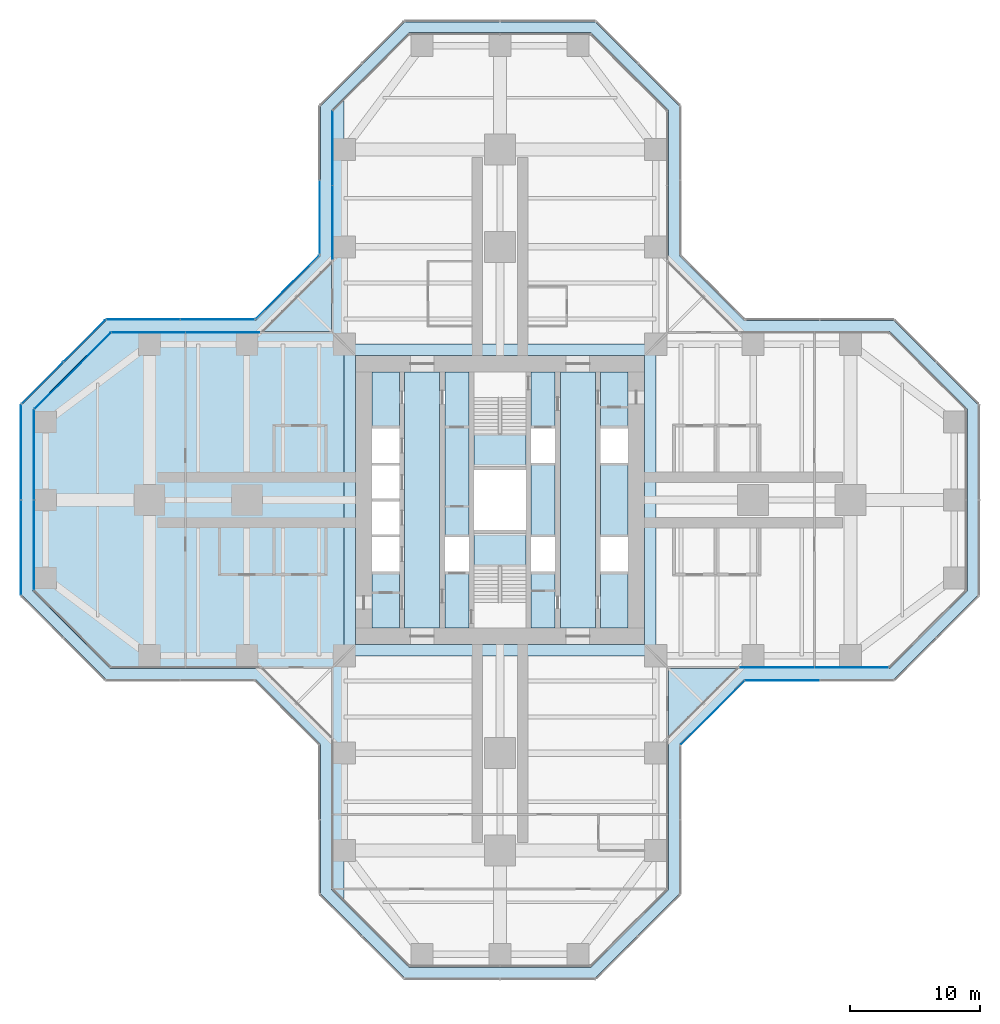
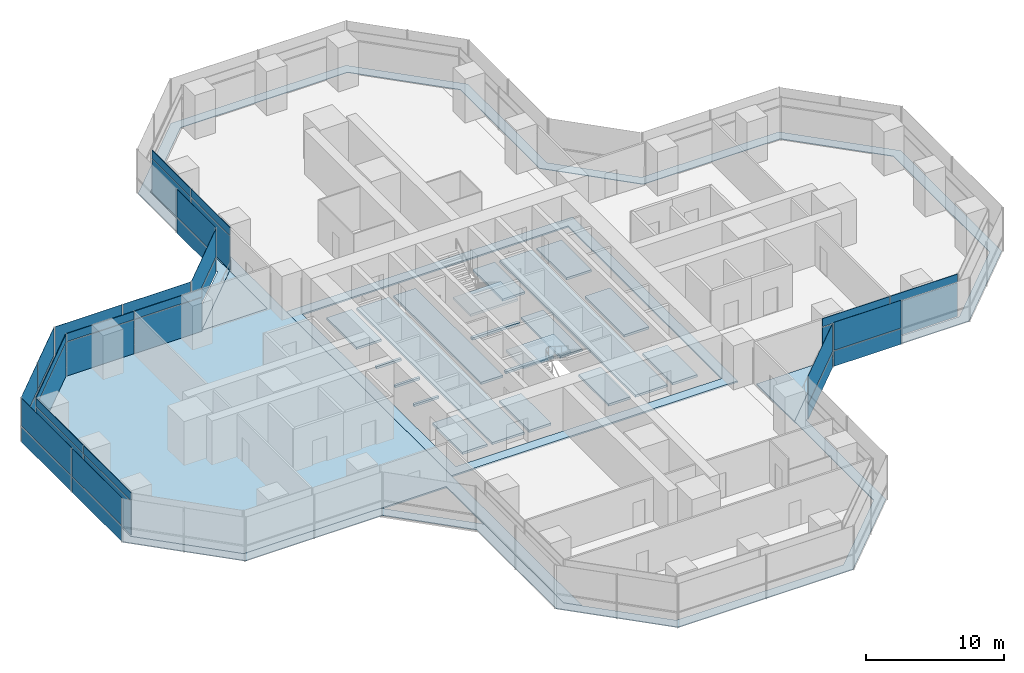
# One storey, part 15 of 22: 39 plates, 7 slabs, 14 elements without a shape of their own.
"""IFC4 building model written with IfcOpenShell, lengths in metres."""

from ifc_helpers import new_model, si_unit, direction, frame, origin, origin_2d, place, context, subcontext, project, spatial, polyline, rectangle, outline, extrude, material, layer, layer_set, type_object, element, aggregate, save


model = new_model("IFC4")

# Units and contexts
model_context = context("Model", 3, precision=1e-05, world=origin(), true_north=direction((0.0, 1.0)))
body_context = subcontext(model_context, "Body", "Model", "MODEL_VIEW")
ifc_project = project(units=[si_unit("LENGTHUNIT", "METRE"), si_unit("AREAUNIT", "SQUARE_METRE"), si_unit("VOLUMEUNIT", "CUBIC_METRE"), si_unit("PLANEANGLEUNIT", "RADIAN"), si_unit("MASSUNIT", "GRAM", prefix="KILO")], contexts=[model_context])

# Site, building, storey
site_placement = place(None, origin())
site = spatial("IfcSite", under=ifc_project, at=site_placement, CompositionType="ELEMENT")
building_placement = place(site_placement, origin())
building = spatial("IfcBuilding", under=site, at=building_placement, Name="Mizan Broadcast Tower", CompositionType="ELEMENT")
storey_placement = place(building_placement, frame((0.0, 0.0, 55.199951171875)))
storey = spatial("IfcBuildingStorey", under=building, at=storey_placement, Name="L10", CompositionType="ELEMENT", Elevation=55.199951171875)

# Plate
ifc_material_1 = material(Name="Aluminium grating", Category="aluminium")
ifc_layer_1 = layer(ifc_material_1, 0.050048828125)
ifc_layer_set_1 = layer_set([ifc_layer_1], Name="Aluminium grating")
plate_type_1 = type_object("IfcPlateType", Name="CAVITY GRATING", PredefinedType="USERDEFINED", material=ifc_layer_set_1)
plate_1_placement = place(storey_placement, frame((0.0, 0.0, -0.050048828125)))
element("IfcPlate", 1, at=plate_1_placement, inside=storey, type_object=plate_type_1, Name="Cavity grating L10", ObjectType="GRATING", PredefinedType="USERDEFINED", context=body_context, shape_type="SweptSolid", body=[
    extrude(outline(polyline([(13.820068359375, -18.839599609375), (18.839599609375, -13.820068359375), (30.339599609375, -13.820068359375), (36.820068359375, -7.339599609375), (36.820068359375, 7.339599609375), (30.339599609375, 13.820068359375), (18.839599609375, 13.820068359375), (13.820068359375, 18.839599609375), (13.820068359375, 30.339599609375), (7.339599609375, 36.820068359375), (-7.339599609375, 36.820068359375), (-13.820068359375, 30.339599609375), (-13.820068359375, 18.839599609375), (-18.839599609375, 13.820068359375), (-30.339599609375, 13.820068359375), (-36.820068359375, 7.339599609375), (-36.820068359375, -7.339599609375), (-30.339599609375, -13.820068359375), (-18.839599609375, -13.820068359375), (-13.820068359375, -18.839599609375), (-13.820068359375, -30.339599609375), (-7.339599609375, -36.820068359375), (7.339599609375, -36.820068359375), (13.820068359375, -30.339599609375), (13.820068359375, -18.839599609375)]), holes=[polyline([(36.0, 7.0), (36.0, -7.0), (30.0, -13.0), (18.5, -13.0), (13.0, -18.5), (13.0, -30.0), (7.0, -36.0), (-7.0, -36.0), (-13.0, -30.0), (-13.0, -18.5), (-18.5, -13.0), (-30.0, -13.0), (-36.0, -7.0), (-36.0, 7.0), (-30.0, 13.0), (-18.5, 13.0), (-13.0, 18.5), (-13.0, 30.0), (-7.0, 36.0), (7.0, 36.0), (13.0, 30.0), (13.0, 18.5), (18.5, 13.0), (30.0, 13.0), (36.0, 7.0)])]), origin(), (0.0, 0.0, 1.0), 0.050048828125),
])

# Slabs
ifc_material_2 = material(Name="Concrete C32/40", Category="concrete")
ifc_layer_2 = layer(ifc_material_2, 0.1298828125)
ifc_layer_set_2 = layer_set([ifc_layer_2], Name="Concrete C32/40")
slab_type_1 = type_object("IfcSlabType", Name="COMPOSITE DECK SLAB 130", PredefinedType="FLOOR", material=ifc_layer_set_2)
slab_1_placement = place(storey_placement, frame((0.0, 0.0, -0.1298828125)))
element("IfcSlab", 2, at=slab_1_placement, inside=storey, type_object=slab_type_1, Name="Floor slab L10 centre", PredefinedType="FLOOR", context=body_context, shape_type="SweptSolid", body=[
    extrude(outline(polyline([(-12.0, -12.0), (12.0, -12.0), (12.0, 12.0), (-12.0, 12.0), (-12.0, -12.0)]), holes=[polyline([(-11.14990234375, 11.14990234375), (11.14990234375, 11.14990234375), (11.14990234375, -11.14990234375), (-11.14990234375, -11.14990234375), (-11.14990234375, 11.14990234375)])]), origin(), (0.0, 0.0, 1.0), 0.1298828125),
])
slab_2_placement = place(storey_placement, frame((0.0, 0.0, -0.1298828125)))
element("IfcSlab", 3, at=slab_2_placement, inside=storey, type_object=slab_type_1, Name="Floor slab L10 west arm", PredefinedType="FLOOR", context=body_context, shape_type="SweptSolid", body=[
    extrude(outline(polyline([(-13.0, -30.0), (-12.0, -31.0), (-12.0, 31.0), (-13.0, 30.0), (-13.0, 13.0), (-30.0, 13.0), (-36.0, 7.0), (-36.0, -7.0), (-30.0, -13.0), (-13.0, -13.0), (-13.0, -30.0)])), origin(), (0.0, 0.0, 1.0), 0.1298828125),
])
ifc_material_3 = material(Name="Concrete C40/50", Category="concrete")
ifc_layer_3 = layer(ifc_material_3, 0.199951171875)
ifc_layer_set_3 = layer_set([ifc_layer_3], Name="Concrete C40/50")
slab_type_2 = type_object("IfcSlabType", Name="CORE FLOOR 200", PredefinedType="FLOOR", material=ifc_layer_set_3)
slab_3_placement = place(storey_placement, frame((0.0, 0.0, -0.199951171875)))
element("IfcSlab", 4, at=slab_3_placement, inside=storey, type_object=slab_type_2, Name="Core floor L10", PredefinedType="FLOOR", context=body_context, shape_type="SweptSolid", body=[
    extrude(outline(polyline([(-9.85009765625, -9.85009765625), (-7.75, -9.85009765625), (-7.75, -5.5), (-9.85009765625, -5.5), (-9.85009765625, -9.85009765625)])), origin(), (0.0, 0.0, 1.0), 0.199951171875),
    extrude(outline(polyline([(-9.85009765625, -2.85009765625), (-7.75, -2.85009765625), (-7.75, -2.64990234375), (-9.85009765625, -2.64990234375), (-9.85009765625, -2.85009765625)])), origin(), (0.0, 0.0, 1.0), 0.199951171875),
    extrude(outline(polyline([(-9.85009765625, -0.10009765625), (-7.75, -0.10009765625), (-7.75, 0.10009765625), (-9.85009765625, 0.10009765625), (-9.85009765625, -0.10009765625)])), origin(), (0.0, 0.0, 1.0), 0.199951171875),
    extrude(outline(polyline([(-9.85009765625, 2.64990234375), (-7.75, 2.64990234375), (-7.75, 2.85009765625), (-9.85009765625, 2.85009765625), (-9.85009765625, 2.64990234375)])), origin(), (0.0, 0.0, 1.0), 0.199951171875),
    extrude(outline(polyline([(-9.85009765625, 5.5), (-7.75, 5.5), (-7.75, 9.85009765625), (-9.85009765625, 9.85009765625), (-9.85009765625, 5.5)])), origin(), (0.0, 0.0, 1.0), 0.199951171875),
    extrude(outline(polyline([(-4.64990234375, 9.85009765625), (-7.35009765625, 9.85009765625), (-7.35009765625, -9.85009765625), (-4.64990234375, -9.85009765625), (-4.64990234375, 9.85009765625)])), origin(), (0.0, 0.0, 1.0), 0.199951171875),
    extrude(outline(polyline([(-4.25, -5.5), (-4.25, -9.85009765625), (-2.39990234375, -9.85009765625), (-2.39990234375, -5.5), (-4.25, -5.5)])), origin(), (0.0, 0.0, 1.0), 0.199951171875),
    extrude(outline(polyline([(-4.25, -2.85009765625), (-2.39990234375, -2.85009765625), (-2.39990234375, 9.85009765625), (-4.25, 9.85009765625), (-4.25, -2.85009765625)])), origin(), (0.0, 0.0, 1.0), 0.199951171875),
    extrude(outline(polyline([(2.0, -2.324951171875), (-2.0, -2.324951171875), (-2.0, -2.574951171875), (2.0, -2.574951171875), (2.0, -2.324951171875)])), origin(), (0.0, 0.0, 1.0), 0.199951171875),
    extrude(outline(polyline([(2.0, 2.574951171875), (-2.0, 2.574951171875), (-2.0, 2.324951171875), (2.0, 2.324951171875), (2.0, 2.574951171875)])), origin(), (0.0, 0.0, 1.0), 0.199951171875),
    extrude(outline(polyline([(4.25, -9.85009765625), (4.25, -5.5), (2.39990234375, -5.5), (2.39990234375, -9.85009765625), (4.25, -9.85009765625)])), origin(), (0.0, 0.0, 1.0), 0.199951171875),
    extrude(outline(polyline([(4.25, -2.85009765625), (4.25, 2.85009765625), (2.39990234375, 2.85009765625), (2.39990234375, -2.85009765625), (4.25, -2.85009765625)])), origin(), (0.0, 0.0, 1.0), 0.199951171875),
    extrude(outline(polyline([(4.25, 5.5), (4.25, 9.85009765625), (2.39990234375, 9.85009765625), (2.39990234375, 5.5), (4.25, 5.5)])), origin(), (0.0, 0.0, 1.0), 0.199951171875),
    extrude(outline(polyline([(4.64990234375, 9.85009765625), (4.64990234375, -9.85009765625), (7.35009765625, -9.85009765625), (7.35009765625, 9.85009765625), (4.64990234375, 9.85009765625)])), origin(), (0.0, 0.0, 1.0), 0.199951171875),
    extrude(outline(polyline([(9.85009765625, -9.85009765625), (9.85009765625, -5.5), (7.75, -5.5), (7.75, -9.85009765625), (9.85009765625, -9.85009765625)])), origin(), (0.0, 0.0, 1.0), 0.199951171875),
    extrude(outline(polyline([(7.75, 2.85009765625), (7.75, -2.85009765625), (9.85009765625, -2.85009765625), (9.85009765625, 2.85009765625), (7.75, 2.85009765625)])), origin(), (0.0, 0.0, 1.0), 0.199951171875),
    extrude(outline(polyline([(9.85009765625, 5.5), (9.85009765625, 9.85009765625), (7.75, 9.85009765625), (7.75, 5.5), (9.85009765625, 5.5)])), origin(), (0.0, 0.0, 1.0), 0.199951171875),
])

# Curtain wall, plates
ifc_material_4 = material(Name="Aluminium framed glazing", Category="aluminium")
curtain_wall_type_1 = type_object("IfcCurtainWallType", Name="INNER SKIN LOW ZONE", PredefinedType="USERDEFINED", material=ifc_material_4)
curtain_wall_1_placement = place(storey_placement, origin())
curtain_wall_1 = element("IfcCurtainWall", 5, at=curtain_wall_1_placement, inside=storey, type_object=curtain_wall_type_1, Name="Inner skin low zone L10 E side", ObjectType="INNER SKIN LOW ZONE", PredefinedType="USERDEFINED")
ifc_material_5 = material(Name="Double glazing, clear low-e", Category="glass")
ifc_layer_4 = layer(ifc_material_5, 0.028076171875)
ifc_layer_set_4 = layer_set([ifc_layer_4], Name="Double glazing, clear low-e")
plate_type_2 = type_object("IfcPlateType", Name="INNER SKIN GLAZING UNIT", PredefinedType="CURTAIN_PANEL", material=ifc_layer_set_4)
plate_2_placement = place(storey_placement, frame((21.379638671875, -12.89990234375, 0.0), z_axis=(0.0, 0.0, 1.0), x_axis=(1.0, 0.0, 0.0)))
plate_2 = element("IfcPlate", 6, at=plate_2_placement, type_object=plate_type_2, Name="Inner skin low zone L10 E side panel 1.1", PredefinedType="CURTAIN_PANEL", context=body_context, shape_type="SweptSolid", body=[
    extrude(rectangle(XDim=5.639404296875, YDim=0.028076171875, at=origin_2d()), origin(), (0.0, 0.0, 1.0), 3.0),
])
plate_3_placement = place(storey_placement, frame((27.078857421875, -12.89990234375, 0.0), z_axis=(0.0, 0.0, 1.0), x_axis=(1.0, 0.0, 0.0)))
plate_3 = element("IfcPlate", 7, at=plate_3_placement, type_object=plate_type_2, Name="Inner skin low zone L10 E side panel 2.1", PredefinedType="CURTAIN_PANEL", context=body_context, shape_type="SweptSolid", body=[
    extrude(rectangle(XDim=5.639404296875, YDim=0.028076171875, at=origin_2d()), origin(), (0.0, 0.0, 1.0), 3.0),
])

curtain_wall_2_placement = place(storey_placement, origin())
curtain_wall_2 = element("IfcCurtainWall", 8, at=curtain_wall_2_placement, inside=storey, type_object=curtain_wall_type_1, Name="Inner skin low zone L10 N side", ObjectType="INNER SKIN LOW ZONE", PredefinedType="USERDEFINED")
plate_4_placement = place(storey_placement, frame((-12.89990234375, 27.078857421875, 0.0), z_axis=(0.0, 0.0, 1.0), x_axis=(0.0, -1.0, 0.0)))
plate_4 = element("IfcPlate", 9, at=plate_4_placement, type_object=plate_type_2, Name="Inner skin low zone L10 N side panel 1.1", PredefinedType="CURTAIN_PANEL", context=body_context, shape_type="SweptSolid", body=[
    extrude(rectangle(XDim=5.639404296875, YDim=0.028076171875, at=origin_2d()), origin(), (0.0, 0.0, 1.0), 3.0),
])
plate_5_placement = place(storey_placement, frame((-12.89990234375, 21.379638671875, 0.0), z_axis=(0.0, 0.0, 1.0), x_axis=(0.0, -1.0, 0.0)))
plate_5 = element("IfcPlate", 10, at=plate_5_placement, type_object=plate_type_2, Name="Inner skin low zone L10 N side panel 2.1", PredefinedType="CURTAIN_PANEL", context=body_context, shape_type="SweptSolid", body=[
    extrude(rectangle(XDim=5.639404296875, YDim=0.028076171875, at=origin_2d()), origin(), (0.0, 0.0, 1.0), 3.0),
])

curtain_wall_3_placement = place(storey_placement, origin())
curtain_wall_3 = element("IfcCurtainWall", 11, at=curtain_wall_3_placement, inside=storey, type_object=curtain_wall_type_1, Name="Inner skin low zone L10 W side", ObjectType="INNER SKIN LOW ZONE", PredefinedType="USERDEFINED")
plate_6_placement = place(storey_placement, frame((-21.379638671875, 12.89990234375, 0.0), z_axis=(0.0, 0.0, 1.0), x_axis=(-1.0, 0.0, 0.0)))
plate_6 = element("IfcPlate", 12, at=plate_6_placement, type_object=plate_type_2, Name="Inner skin low zone L10 W side panel 1.1", PredefinedType="CURTAIN_PANEL", context=body_context, shape_type="SweptSolid", body=[
    extrude(rectangle(XDim=5.639404296875, YDim=0.028076171875, at=origin_2d()), origin(), (0.0, 0.0, 1.0), 3.0),
])
plate_7_placement = place(storey_placement, frame((-27.078857421875, 12.89990234375, 0.0), z_axis=(0.0, 0.0, 1.0), x_axis=(-1.0, 0.0, 0.0)))
plate_7 = element("IfcPlate", 13, at=plate_7_placement, type_object=plate_type_2, Name="Inner skin low zone L10 W side panel 2.1", PredefinedType="CURTAIN_PANEL", context=body_context, shape_type="SweptSolid", body=[
    extrude(rectangle(XDim=5.639404296875, YDim=0.028076171875, at=origin_2d()), origin(), (0.0, 0.0, 1.0), 3.0),
])

# Curtain wall, plate
curtain_wall_4_placement = place(storey_placement, origin())
curtain_wall_4 = element("IfcCurtainWall", 14, at=curtain_wall_4_placement, inside=storey, type_object=curtain_wall_type_1, Name="Inner skin low zone L10 W chamfer", ObjectType="INNER SKIN LOW ZONE", PredefinedType="USERDEFINED")
plate_8_placement = place(storey_placement, frame((-32.92919921875, 9.92919921875, 0.0), z_axis=(0.0, 0.0, 1.0), x_axis=(-0.707106781187, -0.707106781187, 0.0)))
plate_8 = element("IfcPlate", 15, at=plate_8_placement, type_object=plate_type_2, Name="Inner skin low zone L10 W chamfer panel 1.1", PredefinedType="CURTAIN_PANEL", context=body_context, shape_type="SweptSolid", body=[
    extrude(rectangle(XDim=8.282470703125, YDim=0.028076171875, at=origin_2d()), origin(), (0.0, 0.0, 1.0), 3.0),
])

# Curtain wall, plates
curtain_wall_5_placement = place(storey_placement, origin())
curtain_wall_5 = element("IfcCurtainWall", 16, at=curtain_wall_5_placement, inside=storey, type_object=curtain_wall_type_1, Name="Inner skin low zone L10 W end", ObjectType="INNER SKIN LOW ZONE", PredefinedType="USERDEFINED")
plate_9_placement = place(storey_placement, frame((-35.89990234375, 3.46435546875, 0.0), z_axis=(0.0, 0.0, 1.0), x_axis=(0.0, -1.0, 0.0)))
plate_9 = element("IfcPlate", 17, at=plate_9_placement, type_object=plate_type_2, Name="Inner skin low zone L10 W end panel 1.1", PredefinedType="CURTAIN_PANEL", context=body_context, shape_type="SweptSolid", body=[
    extrude(rectangle(XDim=6.86865234375, YDim=0.028076171875, at=origin_2d()), origin(), (0.0, 0.0, 1.0), 3.0),
])
plate_10_placement = place(storey_placement, frame((-35.89990234375, -3.46435546875, 0.0), z_axis=(0.0, 0.0, 1.0), x_axis=(0.0, -1.0, 0.0)))
plate_10 = element("IfcPlate", 18, at=plate_10_placement, type_object=plate_type_2, Name="Inner skin low zone L10 W end panel 2.1", PredefinedType="CURTAIN_PANEL", context=body_context, shape_type="SweptSolid", body=[
    extrude(rectangle(XDim=6.86865234375, YDim=0.028076171875, at=origin_2d()), origin(), (0.0, 0.0, 1.0), 3.0),
])

# Plate
ifc_material_6 = material(Name="Insulated aluminium spandrel panel, pale anodised", Category="aluminium")
ifc_layer_5 = layer(ifc_material_6, 0.050048828125)
ifc_layer_set_5 = layer_set([ifc_layer_5], Name="Insulated aluminium spandrel panel, pale anodised")
plate_type_3 = type_object("IfcPlateType", Name="INNER SKIN SPANDREL PANEL", PredefinedType="CURTAIN_PANEL", material=ifc_layer_set_5)
plate_11_placement = place(storey_placement, frame((21.379638671875, -12.89990234375, 3.06005859375), z_axis=(0.0, 0.0, 1.0), x_axis=(1.0, 0.0, 0.0)))
plate_11 = element("IfcPlate", 19, at=plate_11_placement, type_object=plate_type_3, Name="Inner skin low zone L10 E side panel 1.2", PredefinedType="CURTAIN_PANEL", context=body_context, shape_type="SweptSolid", body=[
    extrude(rectangle(XDim=5.639404296875, YDim=0.050048828125, at=origin_2d()), origin(), (0.0, 0.0, 1.0), 0.7099609375),
])

plate_12_placement = place(storey_placement, frame((27.078857421875, -12.89990234375, 3.06005859375), z_axis=(0.0, 0.0, 1.0), x_axis=(1.0, 0.0, 0.0)))
plate_12 = element("IfcPlate", 20, at=plate_12_placement, type_object=plate_type_3, Name="Inner skin low zone L10 E side panel 2.2", PredefinedType="CURTAIN_PANEL", context=body_context, shape_type="SweptSolid", body=[
    extrude(rectangle(XDim=5.639404296875, YDim=0.050048828125, at=origin_2d()), origin(), (0.0, 0.0, 1.0), 0.7099609375),
])

aggregate(curtain_wall_1, [plate_2, plate_11, plate_3, plate_12])

plate_13_placement = place(storey_placement, frame((-12.89990234375, 27.078857421875, 3.06005859375), z_axis=(0.0, 0.0, 1.0), x_axis=(0.0, -1.0, 0.0)))
plate_13 = element("IfcPlate", 21, at=plate_13_placement, type_object=plate_type_3, Name="Inner skin low zone L10 N side panel 1.2", PredefinedType="CURTAIN_PANEL", context=body_context, shape_type="SweptSolid", body=[
    extrude(rectangle(XDim=5.639404296875, YDim=0.050048828125, at=origin_2d()), origin(), (0.0, 0.0, 1.0), 0.7099609375),
])

plate_14_placement = place(storey_placement, frame((-12.89990234375, 21.379638671875, 3.06005859375), z_axis=(0.0, 0.0, 1.0), x_axis=(0.0, -1.0, 0.0)))
plate_14 = element("IfcPlate", 22, at=plate_14_placement, type_object=plate_type_3, Name="Inner skin low zone L10 N side panel 2.2", PredefinedType="CURTAIN_PANEL", context=body_context, shape_type="SweptSolid", body=[
    extrude(rectangle(XDim=5.639404296875, YDim=0.050048828125, at=origin_2d()), origin(), (0.0, 0.0, 1.0), 0.7099609375),
])

aggregate(curtain_wall_2, [plate_4, plate_13, plate_5, plate_14])

plate_15_placement = place(storey_placement, frame((-21.379638671875, 12.89990234375, 3.06005859375), z_axis=(0.0, 0.0, 1.0), x_axis=(-1.0, 0.0, 0.0)))
plate_15 = element("IfcPlate", 23, at=plate_15_placement, type_object=plate_type_3, Name="Inner skin low zone L10 W side panel 1.2", PredefinedType="CURTAIN_PANEL", context=body_context, shape_type="SweptSolid", body=[
    extrude(rectangle(XDim=5.639404296875, YDim=0.050048828125, at=origin_2d()), origin(), (0.0, 0.0, 1.0), 0.7099609375),
])

plate_16_placement = place(storey_placement, frame((-27.078857421875, 12.89990234375, 3.06005859375), z_axis=(0.0, 0.0, 1.0), x_axis=(-1.0, 0.0, 0.0)))
plate_16 = element("IfcPlate", 24, at=plate_16_placement, type_object=plate_type_3, Name="Inner skin low zone L10 W side panel 2.2", PredefinedType="CURTAIN_PANEL", context=body_context, shape_type="SweptSolid", body=[
    extrude(rectangle(XDim=5.639404296875, YDim=0.050048828125, at=origin_2d()), origin(), (0.0, 0.0, 1.0), 0.7099609375),
])

aggregate(curtain_wall_3, [plate_6, plate_15, plate_7, plate_16])

plate_17_placement = place(storey_placement, frame((-32.92919921875, 9.92919921875, 3.06005859375), z_axis=(0.0, 0.0, 1.0), x_axis=(-0.707106781187, -0.707106781187, 0.0)))
plate_17 = element("IfcPlate", 25, at=plate_17_placement, type_object=plate_type_3, Name="Inner skin low zone L10 W chamfer panel 1.2", PredefinedType="CURTAIN_PANEL", context=body_context, shape_type="SweptSolid", body=[
    extrude(rectangle(XDim=8.282470703125, YDim=0.050048828125, at=origin_2d()), origin(), (0.0, 0.0, 1.0), 0.7099609375),
])

aggregate(curtain_wall_4, [plate_8, plate_17])

plate_18_placement = place(storey_placement, frame((-35.89990234375, 3.46435546875, 3.06005859375), z_axis=(0.0, 0.0, 1.0), x_axis=(0.0, -1.0, 0.0)))
plate_18 = element("IfcPlate", 26, at=plate_18_placement, type_object=plate_type_3, Name="Inner skin low zone L10 W end panel 1.2", PredefinedType="CURTAIN_PANEL", context=body_context, shape_type="SweptSolid", body=[
    extrude(rectangle(XDim=6.86865234375, YDim=0.050048828125, at=origin_2d()), origin(), (0.0, 0.0, 1.0), 0.7099609375),
])

plate_19_placement = place(storey_placement, frame((-35.89990234375, -3.46435546875, 3.06005859375), z_axis=(0.0, 0.0, 1.0), x_axis=(0.0, -1.0, 0.0)))
plate_19 = element("IfcPlate", 27, at=plate_19_placement, type_object=plate_type_3, Name="Inner skin low zone L10 W end panel 2.2", PredefinedType="CURTAIN_PANEL", context=body_context, shape_type="SweptSolid", body=[
    extrude(rectangle(XDim=6.86865234375, YDim=0.050048828125, at=origin_2d()), origin(), (0.0, 0.0, 1.0), 0.7099609375),
])

aggregate(curtain_wall_5, [plate_9, plate_18, plate_10, plate_19])

# Curtain wall, plates
ifc_material_7 = material(Name="Aluminium framed glazing", Category="aluminium")
curtain_wall_type_2 = type_object("IfcCurtainWallType", Name="OUTER SKIN", PredefinedType="USERDEFINED", material=ifc_material_7)
curtain_wall_6_placement = place(storey_placement, origin())
curtain_wall_6 = element("IfcCurtainWall", 28, at=curtain_wall_6_placement, inside=storey, type_object=curtain_wall_type_2, Name="Outer skin L10 W chamfer", ObjectType="OUTER SKIN", PredefinedType="USERDEFINED")
ifc_material_8 = material(Name="Laminated clear glass", Category="glass")
ifc_layer_6 = layer(ifc_material_8, 0.02001953125)
ifc_layer_set_6 = layer_set([ifc_layer_6], Name="Laminated clear glass")
plate_type_4 = type_object("IfcPlateType", Name="OUTER SKIN CLEAR GLASS", PredefinedType="CURTAIN_PANEL", material=ifc_layer_set_6)
plate_20_placement = place(storey_placement, frame((-16.386474609375, 16.386474609375, 0.0), z_axis=(0.0, 0.0, 1.0), x_axis=(-0.707106781187, -0.707106781187, 0.0)))
plate_20 = element("IfcPlate", 29, at=plate_20_placement, type_object=plate_type_4, Name="Outer skin L10 W chamfer panel 1.1", PredefinedType="CURTAIN_PANEL", context=body_context, shape_type="SweptSolid", body=[
    extrude(rectangle(XDim=6.87255859375, YDim=0.02001953125, at=origin_2d()), origin(), (0.0, 0.0, 1.0), 1.3701171875),
])
plate_21_placement = place(storey_placement, frame((-16.386474609375, 16.386474609375, 1.43017578125), z_axis=(0.0, 0.0, 1.0), x_axis=(-0.707106781187, -0.707106781187, 0.0)))
plate_21 = element("IfcPlate", 30, at=plate_21_placement, type_object=plate_type_4, Name="Outer skin L10 W chamfer panel 1.2", PredefinedType="CURTAIN_PANEL", context=body_context, shape_type="SweptSolid", body=[
    extrude(rectangle(XDim=6.87255859375, YDim=0.02001953125, at=origin_2d()), origin(), (0.0, 0.0, 1.0), 2.469970703125),
])
aggregate(curtain_wall_6, [plate_20, plate_21])

curtain_wall_7_placement = place(storey_placement, origin())
curtain_wall_7 = element("IfcCurtainWall", 31, at=curtain_wall_7_placement, inside=storey, type_object=curtain_wall_type_2, Name="Outer skin L10 W side", ObjectType="OUTER SKIN", PredefinedType="USERDEFINED")
plate_22_placement = place(storey_placement, frame((-21.767822265625, 13.89990234375, 0.0), z_axis=(0.0, 0.0, 1.0), x_axis=(-1.0, 0.0, 0.0)))
plate_22 = element("IfcPlate", 32, at=plate_22_placement, type_object=plate_type_4, Name="Outer skin L10 W side panel 1.1", PredefinedType="CURTAIN_PANEL", context=body_context, shape_type="SweptSolid", body=[
    extrude(rectangle(XDim=5.6298828125, YDim=0.02001953125, at=origin_2d()), origin(), (0.0, 0.0, 1.0), 1.3701171875),
])
plate_23_placement = place(storey_placement, frame((-21.767822265625, 13.89990234375, 1.43017578125), z_axis=(0.0, 0.0, 1.0), x_axis=(-1.0, 0.0, 0.0)))
plate_23 = element("IfcPlate", 33, at=plate_23_placement, type_object=plate_type_4, Name="Outer skin L10 W side panel 1.2", PredefinedType="CURTAIN_PANEL", context=body_context, shape_type="SweptSolid", body=[
    extrude(rectangle(XDim=5.6298828125, YDim=0.02001953125, at=origin_2d()), origin(), (0.0, 0.0, 1.0), 2.469970703125),
])
plate_24_placement = place(storey_placement, frame((-27.477783203125, 13.89990234375, 0.0), z_axis=(0.0, 0.0, 1.0), x_axis=(-1.0, 0.0, 0.0)))
plate_24 = element("IfcPlate", 34, at=plate_24_placement, type_object=plate_type_4, Name="Outer skin L10 W side panel 2.1", PredefinedType="CURTAIN_PANEL", context=body_context, shape_type="SweptSolid", body=[
    extrude(rectangle(XDim=5.6298828125, YDim=0.02001953125, at=origin_2d()), origin(), (0.0, 0.0, 1.0), 1.3701171875),
])
plate_25_placement = place(storey_placement, frame((-27.477783203125, 13.89990234375, 1.43017578125), z_axis=(0.0, 0.0, 1.0), x_axis=(-1.0, 0.0, 0.0)))
plate_25 = element("IfcPlate", 35, at=plate_25_placement, type_object=plate_type_4, Name="Outer skin L10 W side panel 2.2", PredefinedType="CURTAIN_PANEL", context=body_context, shape_type="SweptSolid", body=[
    extrude(rectangle(XDim=5.6298828125, YDim=0.02001953125, at=origin_2d()), origin(), (0.0, 0.0, 1.0), 2.469970703125),
])
aggregate(curtain_wall_7, [plate_22, plate_23, plate_24, plate_25])

curtain_wall_8_placement = place(storey_placement, origin())
curtain_wall_8 = element("IfcCurtainWall", 36, at=curtain_wall_8_placement, inside=storey, type_object=curtain_wall_type_2, Name="Outer skin L10 W chamfer", ObjectType="OUTER SKIN", PredefinedType="USERDEFINED")
plate_26_placement = place(storey_placement, frame((-32.018798828125, 12.254150390625, 0.0), z_axis=(0.0, 0.0, 1.0), x_axis=(-0.707106781187, -0.707106781187, 0.0)))
plate_26 = element("IfcPlate", 37, at=plate_26_placement, type_object=plate_type_4, Name="Outer skin L10 W chamfer panel 1.1", PredefinedType="CURTAIN_PANEL", context=body_context, shape_type="SweptSolid", body=[
    extrude(rectangle(XDim=4.495361328125, YDim=0.02001953125, at=origin_2d()), origin(), (0.0, 0.0, 1.0), 1.3701171875),
])
plate_27_placement = place(storey_placement, frame((-32.018798828125, 12.254150390625, 1.43017578125), z_axis=(0.0, 0.0, 1.0), x_axis=(-0.707106781187, -0.707106781187, 0.0)))
plate_27 = element("IfcPlate", 38, at=plate_27_placement, type_object=plate_type_4, Name="Outer skin L10 W chamfer panel 1.2", PredefinedType="CURTAIN_PANEL", context=body_context, shape_type="SweptSolid", body=[
    extrude(rectangle(XDim=4.495361328125, YDim=0.02001953125, at=origin_2d()), origin(), (0.0, 0.0, 1.0), 2.469970703125),
])

curtain_wall_9_placement = place(storey_placement, origin())
curtain_wall_9 = element("IfcCurtainWall", 39, at=curtain_wall_9_placement, inside=storey, type_object=curtain_wall_type_2, Name="Outer skin L10 W end", ObjectType="OUTER SKIN", PredefinedType="USERDEFINED")
plate_28_placement = place(storey_placement, frame((-36.89990234375, 3.66650390625, 0.0), z_axis=(0.0, 0.0, 1.0), x_axis=(0.0, -1.0, 0.0)))
plate_28 = element("IfcPlate", 40, at=plate_28_placement, type_object=plate_type_4, Name="Outer skin L10 W end panel 1.1", PredefinedType="CURTAIN_PANEL", context=body_context, shape_type="SweptSolid", body=[
    extrude(rectangle(XDim=7.252685546875, YDim=0.02001953125, at=origin_2d()), origin(), (0.0, 0.0, 1.0), 1.3701171875),
])
plate_29_placement = place(storey_placement, frame((-36.89990234375, 3.66650390625, 1.43017578125), z_axis=(0.0, 0.0, 1.0), x_axis=(0.0, -1.0, 0.0)))
plate_29 = element("IfcPlate", 41, at=plate_29_placement, type_object=plate_type_4, Name="Outer skin L10 W end panel 1.2", PredefinedType="CURTAIN_PANEL", context=body_context, shape_type="SweptSolid", body=[
    extrude(rectangle(XDim=7.252685546875, YDim=0.02001953125, at=origin_2d()), origin(), (0.0, 0.0, 1.0), 2.469970703125),
])

curtain_wall_10_placement = place(storey_placement, origin())
curtain_wall_10 = element("IfcCurtainWall", 42, at=curtain_wall_10_placement, inside=storey, type_object=curtain_wall_type_2, Name="Outer skin L10 E chamfer", ObjectType="OUTER SKIN", PredefinedType="USERDEFINED")
plate_30_placement = place(storey_placement, frame((16.386474609375, -16.386474609375, 0.0), z_axis=(0.0, 0.0, 1.0), x_axis=(0.707106781187, 0.707106781187, 0.0)))
plate_30 = element("IfcPlate", 43, at=plate_30_placement, type_object=plate_type_4, Name="Outer skin L10 E chamfer panel 1.1", PredefinedType="CURTAIN_PANEL", context=body_context, shape_type="SweptSolid", body=[
    extrude(rectangle(XDim=6.87255859375, YDim=0.02001953125, at=origin_2d()), origin(), (0.0, 0.0, 1.0), 1.3701171875),
])
plate_31_placement = place(storey_placement, frame((16.386474609375, -16.386474609375, 1.43017578125), z_axis=(0.0, 0.0, 1.0), x_axis=(0.707106781187, 0.707106781187, 0.0)))
plate_31 = element("IfcPlate", 44, at=plate_31_placement, type_object=plate_type_4, Name="Outer skin L10 E chamfer panel 1.2", PredefinedType="CURTAIN_PANEL", context=body_context, shape_type="SweptSolid", body=[
    extrude(rectangle(XDim=6.87255859375, YDim=0.02001953125, at=origin_2d()), origin(), (0.0, 0.0, 1.0), 2.469970703125),
])
aggregate(curtain_wall_10, [plate_30, plate_31])

curtain_wall_11_placement = place(storey_placement, origin())
curtain_wall_11 = element("IfcCurtainWall", 45, at=curtain_wall_11_placement, inside=storey, type_object=curtain_wall_type_2, Name="Outer skin L10 E side", ObjectType="OUTER SKIN", PredefinedType="USERDEFINED")
plate_32_placement = place(storey_placement, frame((21.767822265625, -13.89990234375, 0.0), z_axis=(0.0, 0.0, 1.0), x_axis=(1.0, 0.0, 0.0)))
plate_32 = element("IfcPlate", 46, at=plate_32_placement, type_object=plate_type_4, Name="Outer skin L10 E side panel 1.1", PredefinedType="CURTAIN_PANEL", context=body_context, shape_type="SweptSolid", body=[
    extrude(rectangle(XDim=5.6298828125, YDim=0.02001953125, at=origin_2d()), origin(), (0.0, 0.0, 1.0), 1.3701171875),
])
plate_33_placement = place(storey_placement, frame((21.767822265625, -13.89990234375, 1.43017578125), z_axis=(0.0, 0.0, 1.0), x_axis=(1.0, 0.0, 0.0)))
plate_33 = element("IfcPlate", 47, at=plate_33_placement, type_object=plate_type_4, Name="Outer skin L10 E side panel 1.2", PredefinedType="CURTAIN_PANEL", context=body_context, shape_type="SweptSolid", body=[
    extrude(rectangle(XDim=5.6298828125, YDim=0.02001953125, at=origin_2d()), origin(), (0.0, 0.0, 1.0), 2.469970703125),
])
aggregate(curtain_wall_11, [plate_32, plate_33])

curtain_wall_12_placement = place(storey_placement, origin())
curtain_wall_12 = element("IfcCurtainWall", 48, at=curtain_wall_12_placement, inside=storey, type_object=curtain_wall_type_2, Name="Outer skin L10 N side", ObjectType="OUTER SKIN", PredefinedType="USERDEFINED")
ifc_material_9 = material(Name="Perforated aluminium, pale anodised", Category="aluminium")
ifc_layer_7 = layer(ifc_material_9, 0.011962890625)
ifc_layer_set_7 = layer_set([ifc_layer_7], Name="Perforated aluminium, pale anodised")
plate_type_5 = type_object("IfcPlateType", Name="OUTER SKIN PERFORATED SCREEN", PredefinedType="USERDEFINED", material=ifc_layer_set_7)
plate_34_placement = place(storey_placement, frame((-13.89990234375, 21.767822265625, 0.0), z_axis=(0.0, 0.0, 1.0), x_axis=(0.0, -1.0, 0.0)))
plate_34 = element("IfcPlate", 49, at=plate_34_placement, type_object=plate_type_5, Name="Outer skin L10 N side panel 2.1", ObjectType="SCREEN", PredefinedType="USERDEFINED", context=body_context, shape_type="SweptSolid", body=[
    extrude(rectangle(XDim=5.6298828125, YDim=0.011962890625, at=origin_2d()), origin(), (0.0, 0.0, 1.0), 1.3701171875),
])
plate_35_placement = place(storey_placement, frame((-13.89990234375, 21.767822265625, 1.43017578125), z_axis=(0.0, 0.0, 1.0), x_axis=(0.0, -1.0, 0.0)))
plate_35 = element("IfcPlate", 50, at=plate_35_placement, type_object=plate_type_5, Name="Outer skin L10 N side panel 2.2", ObjectType="SCREEN", PredefinedType="USERDEFINED", context=body_context, shape_type="SweptSolid", body=[
    extrude(rectangle(XDim=5.6298828125, YDim=0.011962890625, at=origin_2d()), origin(), (0.0, 0.0, 1.0), 2.469970703125),
])
aggregate(curtain_wall_12, [plate_34, plate_35])

# Plate
plate_36_placement = place(storey_placement, frame((-35.254150390625, 9.018798828125, 0.0), z_axis=(0.0, 0.0, 1.0), x_axis=(-0.707106781187, -0.707106781187, 0.0)))
plate_36 = element("IfcPlate", 51, at=plate_36_placement, type_object=plate_type_5, Name="Outer skin L10 W chamfer panel 2.1", ObjectType="SCREEN", PredefinedType="USERDEFINED", context=body_context, shape_type="SweptSolid", body=[
    extrude(rectangle(XDim=4.495361328125, YDim=0.011962890625, at=origin_2d()), origin(), (0.0, 0.0, 1.0), 1.3701171875),
])

plate_37_placement = place(storey_placement, frame((-35.254150390625, 9.018798828125, 1.43017578125), z_axis=(0.0, 0.0, 1.0), x_axis=(-0.707106781187, -0.707106781187, 0.0)))
plate_37 = element("IfcPlate", 52, at=plate_37_placement, type_object=plate_type_5, Name="Outer skin L10 W chamfer panel 2.2", ObjectType="SCREEN", PredefinedType="USERDEFINED", context=body_context, shape_type="SweptSolid", body=[
    extrude(rectangle(XDim=4.495361328125, YDim=0.011962890625, at=origin_2d()), origin(), (0.0, 0.0, 1.0), 2.469970703125),
])

aggregate(curtain_wall_8, [plate_26, plate_27, plate_36, plate_37])

plate_38_placement = place(storey_placement, frame((-36.89990234375, -3.66650390625, 0.0), z_axis=(0.0, 0.0, 1.0), x_axis=(0.0, -1.0, 0.0)))
plate_38 = element("IfcPlate", 53, at=plate_38_placement, type_object=plate_type_5, Name="Outer skin L10 W end panel 2.1", ObjectType="SCREEN", PredefinedType="USERDEFINED", context=body_context, shape_type="SweptSolid", body=[
    extrude(rectangle(XDim=7.252685546875, YDim=0.011962890625, at=origin_2d()), origin(), (0.0, 0.0, 1.0), 1.3701171875),
])

plate_39_placement = place(storey_placement, frame((-36.89990234375, -3.66650390625, 1.43017578125), z_axis=(0.0, 0.0, 1.0), x_axis=(0.0, -1.0, 0.0)))
plate_39 = element("IfcPlate", 54, at=plate_39_placement, type_object=plate_type_5, Name="Outer skin L10 W end panel 2.2", ObjectType="SCREEN", PredefinedType="USERDEFINED", context=body_context, shape_type="SweptSolid", body=[
    extrude(rectangle(XDim=7.252685546875, YDim=0.011962890625, at=origin_2d()), origin(), (0.0, 0.0, 1.0), 2.469970703125),
])

aggregate(curtain_wall_9, [plate_28, plate_29, plate_38, plate_39])

# Stair, slab
ifc_material_10 = material(Name="Concrete C40/50", Category="concrete")
stair_type = type_object("IfcStairType", Name="EXIT STAIR", PredefinedType="HALF_TURN_STAIR", material=ifc_material_10)
stair_1_placement = place(storey_placement, origin())
stair_1 = element("IfcStair", 55, at=stair_1_placement, inside=storey, type_object=stair_type, Name="Stair A L10", PredefinedType="HALF_TURN_STAIR")
ifc_material_11 = material(Name="Concrete C40/50", Category="concrete")
ifc_layer_8 = layer(ifc_material_11, 0.199951171875)
ifc_layer_set_8 = layer_set([ifc_layer_8], Name="Concrete C40/50")
slab_type_3 = type_object("IfcSlabType", Name="STAIR LANDING 200", PredefinedType="LANDING", material=ifc_layer_set_8)
slab_4_placement = place(storey_placement, frame((0.0, 0.0, 1.75)))
slab_4 = element("IfcSlab", 56, at=slab_4_placement, type_object=slab_type_3, Name="A landing 2", PredefinedType="LANDING", context=body_context, shape_type="SweptSolid", body=[
    extrude(outline(polyline([(-2.0, -5.10009765625), (-2.0, -2.574951171875), (2.0, -2.574951171875), (2.0, -5.10009765625), (-2.0, -5.10009765625)])), origin(), (0.0, 0.0, 1.0), 0.199951171875),
])
aggregate(stair_1, [slab_4])

stair_2_placement = place(storey_placement, origin())
stair_2 = element("IfcStair", 57, at=stair_2_placement, inside=storey, type_object=stair_type, Name="Stair B L10", PredefinedType="HALF_TURN_STAIR")
slab_5_placement = place(storey_placement, frame((0.0, 0.0, 1.75)))
slab_5 = element("IfcSlab", 58, at=slab_5_placement, type_object=slab_type_3, Name="B landing 2", PredefinedType="LANDING", context=body_context, shape_type="SweptSolid", body=[
    extrude(outline(polyline([(2.0, 5.10009765625), (2.0, 2.574951171875), (-2.0, 2.574951171875), (-2.0, 5.10009765625), (2.0, 5.10009765625)])), origin(), (0.0, 0.0, 1.0), 0.199951171875),
])
aggregate(stair_2, [slab_5])

# Slabs
ifc_material_12 = material(Name="Concrete C32/40", Category="concrete")
ifc_layer_9 = layer(ifc_material_12, 0.1298828125)
ifc_layer_set_9 = layer_set([ifc_layer_9], Name="Concrete C32/40")
slab_type_4 = type_object("IfcSlabType", Name="WINTER GARDEN SLAB 130", PredefinedType="FLOOR", material=ifc_layer_set_9)
slab_6_placement = place(storey_placement, frame((0.0, 0.0, -0.1298828125)))
element("IfcSlab", 59, at=slab_6_placement, inside=storey, type_object=slab_type_4, Name="Winter garden slab L10 N", PredefinedType="FLOOR", context=body_context, shape_type="SweptSolid", body=[
    extrude(outline(polyline([(-13.0, 13.0), (-13.0, 18.5), (-18.5, 13.0), (-13.0, 13.0)])), origin(), (0.0, 0.0, 1.0), 0.1298828125),
])
slab_7_placement = place(storey_placement, frame((0.0, 0.0, -0.1298828125)))
element("IfcSlab", 60, at=slab_7_placement, inside=storey, type_object=slab_type_4, Name="Winter garden slab L10 S", PredefinedType="FLOOR", context=body_context, shape_type="SweptSolid", body=[
    extrude(outline(polyline([(13.0, -13.0), (13.0, -18.5), (18.5, -13.0), (13.0, -13.0)])), origin(), (0.0, 0.0, 1.0), 0.1298828125),
])

save(model, "model.ifc")
